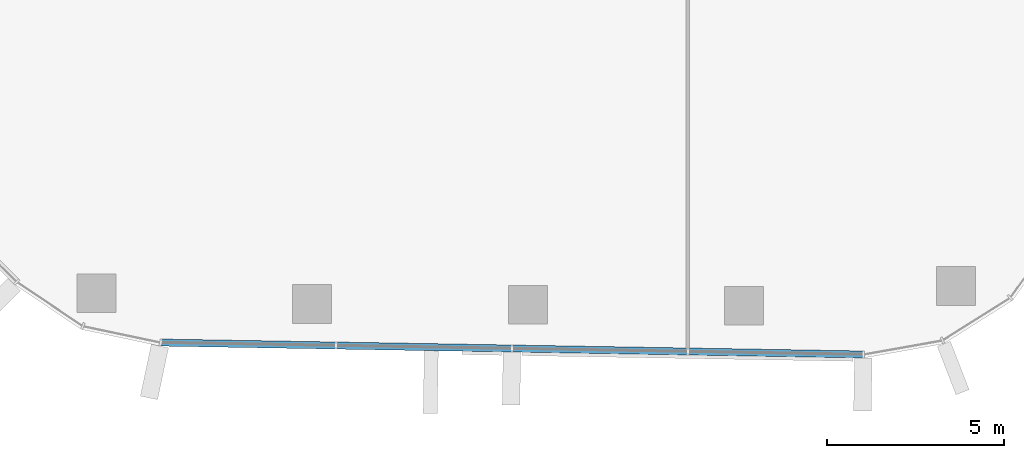
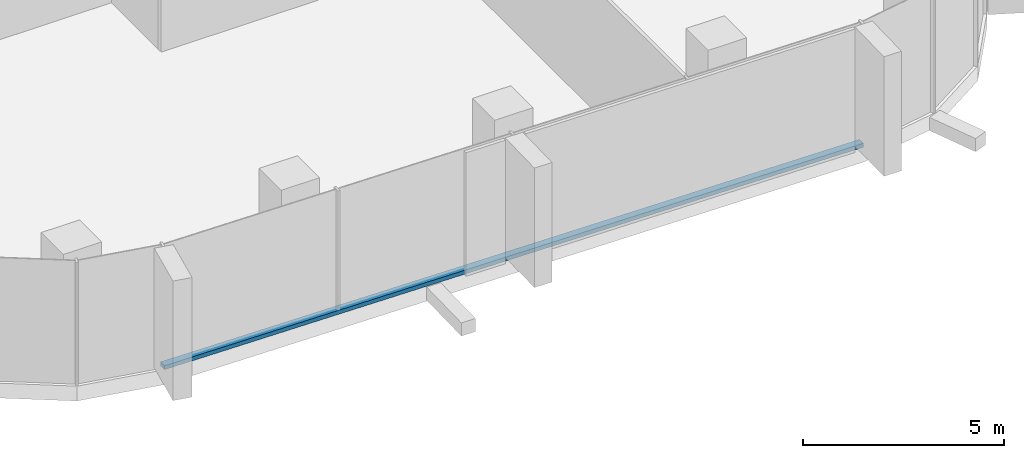
# One storey, part 3 of 21: 1 member, 1 element without a shape of its own.
"""IFC4 building model written with IfcOpenShell, lengths in metres."""

from ifc_helpers import new_model, si_unit, direction, frame, origin, origin_2d, place, context, subcontext, project, spatial, rectangle, extrude, material, layer, layer_set, material_profile, profile_set, type_object, element, aggregate, save


model = new_model("IFC4")

# Units and contexts
model_context = context("Model", 3, precision=1e-05, world=origin(), true_north=direction((0.0, 1.0)))
body_context = subcontext(model_context, "Body", "Model", "MODEL_VIEW")
ifc_project = project(units=[si_unit("LENGTHUNIT", "METRE"), si_unit("AREAUNIT", "SQUARE_METRE"), si_unit("VOLUMEUNIT", "CUBIC_METRE"), si_unit("PLANEANGLEUNIT", "RADIAN"), si_unit("MASSUNIT", "GRAM", prefix="KILO")], contexts=[model_context])

# Site, building, storey
site_placement = place(None, origin())
site = spatial("IfcSite", under=ifc_project, at=site_placement, CompositionType="ELEMENT")
building_placement = place(site_placement, origin())
building = spatial("IfcBuilding", under=site, at=building_placement, Name="Dongbaek Canopy Tower", CompositionType="ELEMENT")
storey_placement = place(building_placement, frame((0.0, 0.0, 232.800048828125)))
storey = spatial("IfcBuildingStorey", under=building, at=storey_placement, Name="L48", CompositionType="ELEMENT", Elevation=232.800048828125)

# Curtain wall, member
ifc_material_1 = material(Name="Aluminium 6063-T6 pale anodised", Category="aluminium")
ifc_layer = layer(ifc_material_1, 0.199951171875)
ifc_layer_set = layer_set([ifc_layer], Name="CW-1 unitised tower curtain wall")
curtain_wall_type = type_object("IfcCurtainWallType", Name="CW-1 unitised tower curtain wall", PredefinedType="NOTDEFINED", material=ifc_layer_set)
curtain_wall_placement = place(storey_placement, origin())
curtain_wall = element("IfcCurtainWall", 1, at=curtain_wall_placement, inside=storey, type_object=curtain_wall_type, Name="CW-1 curtain wall F4.1", PredefinedType="NOTDEFINED")
ifc_material_2 = material(Name="Aluminium 6063-T6 pale anodised", Category="aluminium")
ifc_material_profile = material_profile(ifc_material_2, rectangle(XDim=0.199951171875, YDim=0.1201171875, at=origin_2d()), Name="CW-1 transom 120 x 200")
ifc_profile_set = profile_set([ifc_material_profile], Name="Aluminium 6063-T6 pale anodised")
member_type = type_object("IfcMemberType", Name="CW-1 transom 120 x 200", PredefinedType="USERDEFINED", material=ifc_profile_set)
member_placement = place(storey_placement, frame((-8.8876953125, -25.34228515625, 0.06005859375), z_axis=(0.99985556053, -0.016995825298, 0.0), x_axis=(0.016995825298, 0.99985556053, 0.0)))
member = element("IfcMember", 2, at=member_placement, type_object=member_type, Name="CW-1 transom F4.1.1", ObjectType="TRANSOM", PredefinedType="USERDEFINED", context=body_context, shape_type="SweptSolid", body=[
    extrude(rectangle(XDim=0.199951171875, YDim=0.1201171875, at=origin_2d()), origin(), (0.0, 0.0, 1.0), 19.880859375),
])
aggregate(curtain_wall, [member])

save(model, "model.ifc")
